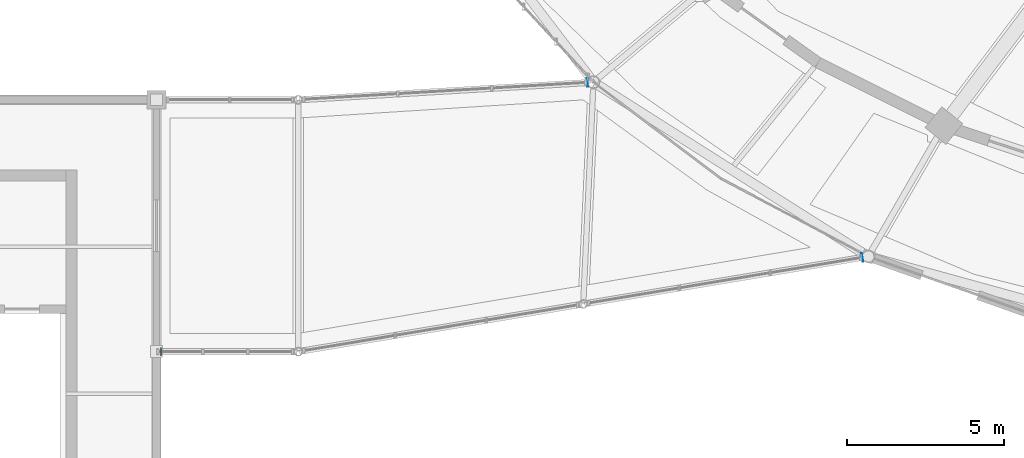
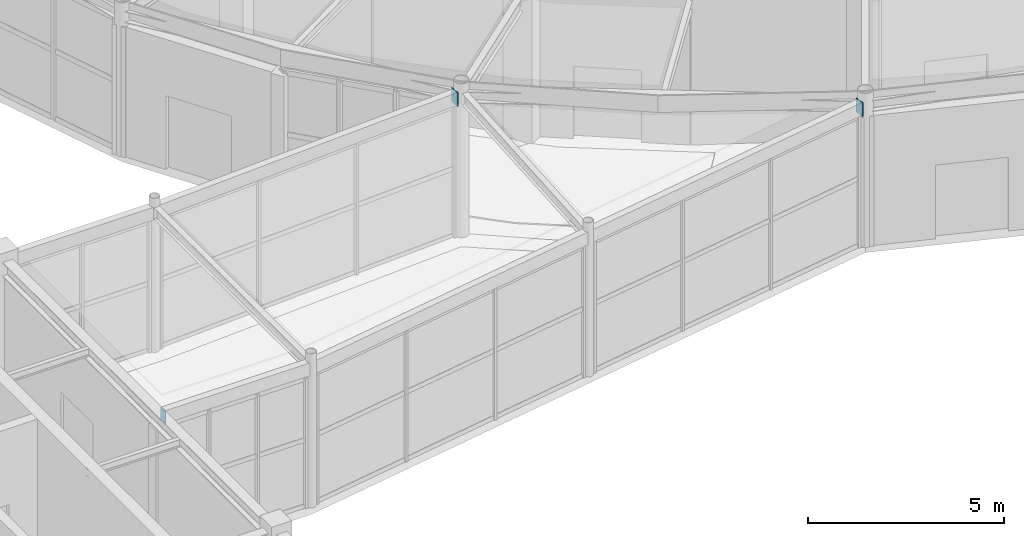
# One storey, part 84 of 108: 3 plates.
"""IFC4 building model written with IfcOpenShell, lengths in metres."""

from ifc_helpers import new_model, si_unit, direction, frame, origin, origin_2d, place, context, subcontext, project, spatial, rectangle, extrude, material, layer, layer_set, type_object, element, save


model = new_model("IFC4")

# Units and contexts
model_context = context("Model", 3, precision=1e-05, world=origin(), true_north=direction((0.0, 1.0)))
body_context = subcontext(model_context, "Body", "Model", "MODEL_VIEW")
ifc_project = project(units=[si_unit("LENGTHUNIT", "METRE"), si_unit("AREAUNIT", "SQUARE_METRE"), si_unit("VOLUMEUNIT", "CUBIC_METRE"), si_unit("PLANEANGLEUNIT", "RADIAN"), si_unit("MASSUNIT", "GRAM", prefix="KILO")], contexts=[model_context])

# Site, building, storey
site_placement = place(None, origin())
site = spatial("IfcSite", under=ifc_project, at=site_placement, CompositionType="ELEMENT")
building_placement = place(site_placement, origin())
building = spatial("IfcBuilding", under=site, at=building_placement, Name="Tarnveldt Headland Concert Hall", CompositionType="ELEMENT")
storey_placement = place(building_placement, origin())
storey = spatial("IfcBuildingStorey", under=building, at=storey_placement, Name="L00", CompositionType="ELEMENT", Elevation=0.0)

# Plates
ifc_material = material(Name="Steel S355", Category="steel")
ifc_layer_1 = layer(ifc_material, 0.02001953125, Name="Steel S355", Category="steel")
ifc_layer_set_1 = layer_set([ifc_layer_1], Name="Steel S355")
plate_type_1 = type_object("IfcPlateType", Name="PL-CAP240", PredefinedType="SHEET", material=ifc_layer_set_1)
plate_placement = place(storey_placement, frame((44.639892578125, 30.0, 4.130126953125), z_axis=(0.0, 0.0, 1.0), x_axis=(1.0, 0.0, 0.0)))
element("IfcPlate", 1, at=plate_placement, inside=storey, type_object=plate_type_1, Name="Link beam west end cap plate L00-30", PredefinedType="SHEET", context=body_context, shape_type="SweptSolid", body=[
    extrude(rectangle(XDim=0.02001953125, YDim=0.239990234375, at=origin_2d()), origin(), (0.0, 0.0, 1.0), 0.3798828125),
])
ifc_layer_2 = layer(ifc_material, 0.02001953125, Name="Steel S355", Category="steel")
ifc_layer_set_2 = layer_set([ifc_layer_2], Name="Steel S355")
plate_type_2 = type_object("IfcPlateType", Name="PL-CAP280", PredefinedType="SHEET", material=ifc_layer_set_2)
for number, where, z_axis, x_axis, name in (
    (2, (66.91259765625, 32.9912109375, 4.10009765625), (0.0, 0.0, 1.0), (0.986343153931, 0.16470331719, 0.0), "Link beam east end cap plate L00-30"),
    (3, (58.18408203125, 38.547607421875, 4.10009765625), (0.0, 0.0, 1.0), (0.998229461805, 0.059480598389, 0.0), "Link beam east end cap plate L00-38"),
):
    element("IfcPlate", number, at=place(storey_placement, frame(where, z_axis=z_axis, x_axis=x_axis)), inside=storey, type_object=plate_type_2, Name=name, PredefinedType="SHEET", context=body_context, shape_type="SweptSolid", body=[
        extrude(rectangle(XDim=0.02001953125, YDim=0.280029296875, at=origin_2d()), origin(), (0.0, 0.0, 1.0), 0.43994140625),
    ])

save(model, "model.ifc")
